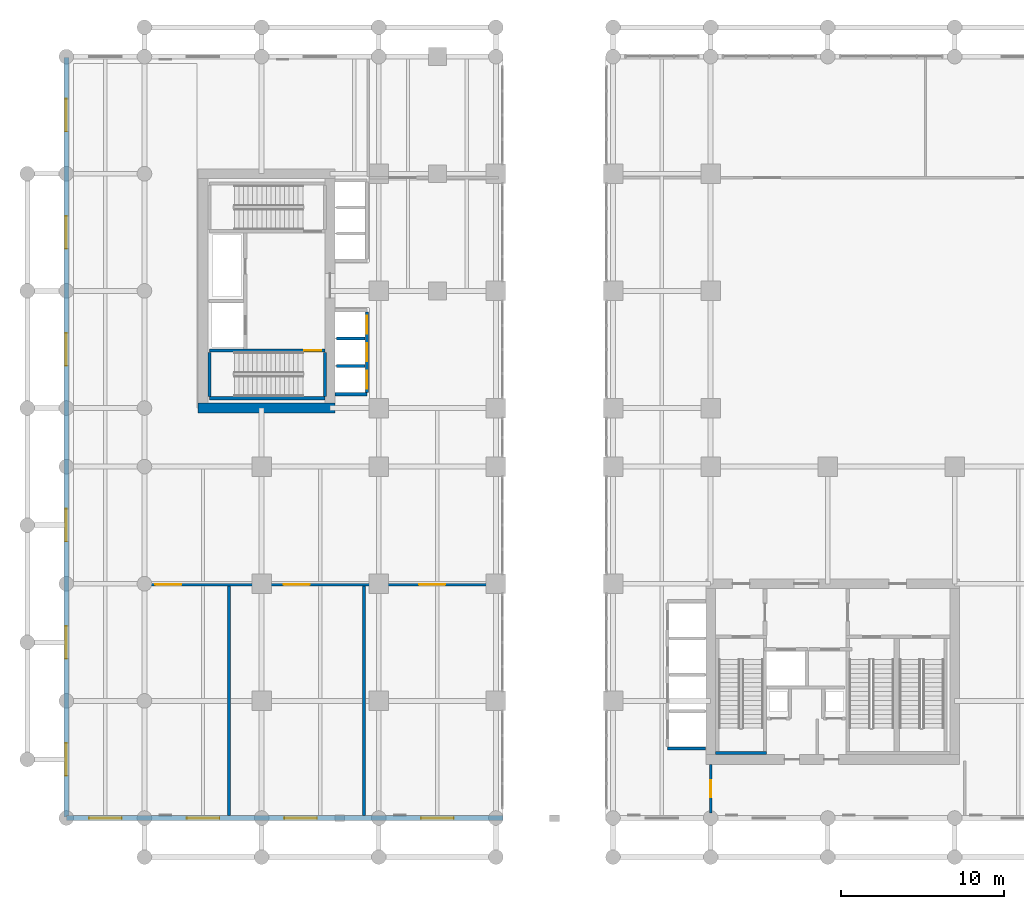
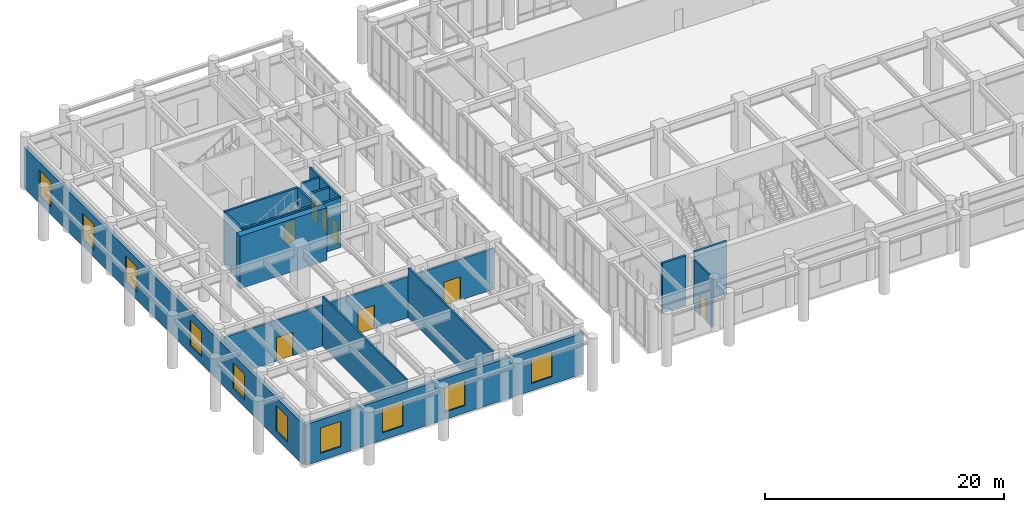
# One storey, part 15 of 23: 17 walls, 10 windows, 8 doors, 18 openings.
"""IFC4 building model written with IfcOpenShell, lengths in metres."""

from ifc_helpers import new_model, si_unit, derived_unit, direction, frame, frame_2d, origin, place, context, subcontext, project, spatial, rectangle, extrude, source, transform, mapped, material, layer, layer_set, type_object, type_shapes, element, fill, save


model = new_model("IFC4")

# Units and contexts
model_context = context("Model", 3, precision=1e-05, world=origin(), true_north=direction((0.0, 1.0)))
body_context = subcontext(model_context, "Body", "Model", "MODEL_VIEW")
ifc_project = project(units=[si_unit("LENGTHUNIT", "METRE"), si_unit("AREAUNIT", "SQUARE_METRE"), si_unit("VOLUMEUNIT", "CUBIC_METRE"), si_unit("PLANEANGLEUNIT", "RADIAN"), si_unit("MASSUNIT", "GRAM", prefix="KILO"), si_unit("THERMODYNAMICTEMPERATUREUNIT", "KELVIN"), si_unit("POWERUNIT", "WATT"), derived_unit("THERMALTRANSMITTANCEUNIT", [(si_unit("POWERUNIT", "WATT"), 1), (si_unit("AREAUNIT", "SQUARE_METRE"), -1), (si_unit("THERMODYNAMICTEMPERATUREUNIT", "KELVIN"), -1)])], contexts=[model_context])

# Site, building, storey
site_placement = place(None, origin())
site = spatial("IfcSite", under=ifc_project, at=site_placement, CompositionType="ELEMENT")
building_placement = place(site_placement, origin())
building = spatial("IfcBuilding", under=site, at=building_placement, Name="Zahravan Archway Hotel and Residences", CompositionType="ELEMENT")
storey_placement = place(building_placement, frame((0.0, 0.0, 5.39990234375)))
storey = spatial("IfcBuildingStorey", under=building, at=storey_placement, Name="L01", CompositionType="ELEMENT", Elevation=5.39990234375)

# Wall
ifc_material_1 = material(Name="Concrete C70/85", Category="concrete")
ifc_layer_1 = layer(ifc_material_1, 0.60009765625, Name="Concrete C70/85", Category="concrete")
ifc_layer_set_1 = layer_set([ifc_layer_1], Name="Concrete C70/85")
wall_type_1 = type_object("IfcWallType", Name="CW-CORE-600", PredefinedType="SHEAR", material=ifc_layer_set_1)
wall_1_placement = place(storey_placement, frame((3.300048828125, 25.199951171875, 0.0), z_axis=(0.0, 0.0, 1.0), x_axis=(1.0, 0.0, 0.0)))
element("IfcWall", 1, at=wall_1_placement, inside=storey, type_object=wall_type_1, Name="L01 Core B Shear S Wall 600 mm", PredefinedType="SHEAR", context=body_context, shape_type="SweptSolid", body=[
    extrude(rectangle(XDim=8.39990234375, YDim=0.60009765625, at=frame_2d((4.199951171875, 0.0))), origin(), (0.0, 0.0, 1.0), 5.400146484375),
])

# Wall, openings, windows
ifc_material_2 = material(Name="Agra Buff Sandstone & Insulated Backup", Category="masonry")
ifc_layer_2 = layer(ifc_material_2, 0.320068359375, Name="Agra Buff Sandstone & Insulated Backup", Category="masonry")
ifc_layer_set_2 = layer_set([ifc_layer_2], Name="Agra Buff Sandstone & Insulated Backup")
wall_type_2 = type_object("IfcWallType", Name="EW-SAND-320", PredefinedType="SOLIDWALL", material=ifc_layer_set_2)
wall_2_placement = place(storey_placement, frame((-4.800048828125, 0.0, 0.0), z_axis=(0.0, 0.0, 1.0), x_axis=(1.0, 0.0, 0.0)))
wall_2 = element("IfcWall", 2, at=wall_2_placement, inside=storey, type_object=wall_type_2, Name="L01 Podium Sandstone S Wall", PredefinedType="SOLIDWALL", context=body_context, shape_type="SweptSolid", body=[
    extrude(rectangle(XDim=26.85009765625, YDim=0.320068359375, at=frame_2d((13.425048828125, 0.0))), origin(), (0.0, 0.0, 1.0), 4.18505859375),
])
opening_1_placement = place(wall_2_placement, frame((1.39990234375, 0.0, 0.75)))
opening_1 = element("IfcOpeningElement", 3, at=opening_1_placement, cuts=wall_2, Name="Opening W-01", PredefinedType="OPENING", context=body_context, shape_type="SweptSolid", body=[
    extrude(rectangle(XDim=2.0, YDim=2.60009765625, at=frame_2d((1.0, 1.300048828125))), frame((0.0, 0.169921875, 0.0), z_axis=(0.0, -1.0, 0.0), x_axis=(1.0, 0.0, 0.0)), (0.0, 0.0, 1.0), 0.340087890625),
])
opening_2_placement = place(wall_2_placement, frame((7.39990234375, 0.0, 0.75)))
opening_2 = element("IfcOpeningElement", 4, at=opening_2_placement, cuts=wall_2, Name="Opening W-01", PredefinedType="OPENING", context=body_context, shape_type="SweptSolid", body=[
    extrude(rectangle(XDim=2.0, YDim=2.60009765625, at=frame_2d((1.0, 1.300048828125))), frame((0.0, 0.169921875, 0.0), z_axis=(0.0, -1.0, 0.0), x_axis=(1.0, 0.0, 0.0)), (0.0, 0.0, 1.0), 0.340087890625),
])
opening_3_placement = place(wall_2_placement, frame((13.39990234375, 0.0, 0.75)))
opening_3 = element("IfcOpeningElement", 5, at=opening_3_placement, cuts=wall_2, Name="Opening W-01", PredefinedType="OPENING", context=body_context, shape_type="SweptSolid", body=[
    extrude(rectangle(XDim=2.0, YDim=2.60009765625, at=frame_2d((1.0, 1.300048828125))), frame((0.0, 0.169921875, 0.0), z_axis=(0.0, -1.0, 0.0), x_axis=(1.0, 0.0, 0.0)), (0.0, 0.0, 1.0), 0.340087890625),
])
opening_4_placement = place(wall_2_placement, frame((21.800048828125, 0.0, 0.75)))
opening_4 = element("IfcOpeningElement", 6, at=opening_4_placement, cuts=wall_2, Name="Opening W-01", PredefinedType="OPENING", context=body_context, shape_type="SweptSolid", body=[
    extrude(rectangle(XDim=2.0, YDim=2.60009765625, at=frame_2d((1.0, 1.300048828125))), frame((0.0, 0.169921875, 0.0), z_axis=(0.0, -1.0, 0.0), x_axis=(1.0, 0.0, 0.0)), (0.0, 0.0, 1.0), 0.340087890625),
])
ifc_material_3 = material(Name="Bronze-Anodized Thermal-Break Aluminium & Low-E Glass", Category="aluminium")
window_type = type_object("IfcWindowType", Name="WIN-ARC-2000", PartitioningType="DOUBLE_PANEL_VERTICAL", PredefinedType="WINDOW", material=ifc_material_3)
shared_shape_1 = source(origin(), body_context, "Body", "SweptSolid", [
    extrude(rectangle(XDim=2.0, YDim=2.60009765625, at=frame_2d((1.0, 1.300048828125))), frame((0.0, 0.030029296875, 0.0), z_axis=(0.0, -1.0, 0.0), x_axis=(1.0, 0.0, 0.0)), (0.0, 0.0, 1.0), 0.06005859375),
])
type_shapes(window_type, [shared_shape_1])
window_1_placement = place(opening_1_placement, origin())
window_1 = element("IfcWindow", 7, at=window_1_placement, inside=storey, type_object=window_type, Name="L01 Podium Mughal Arch Window 01", OverallHeight=2.60009765625, OverallWidth=2.0, PartitioningType="DOUBLE_PANEL_VERTICAL", PredefinedType="WINDOW", context=body_context, shape_type="MappedRepresentation", body=[
    mapped(shared_shape_1, transform((0.0, 0.0, 0.0), scale=1.0)),
])
fill(opening_1, window_1)
window_2_placement = place(opening_2_placement, origin())
window_2 = element("IfcWindow", 8, at=window_2_placement, inside=storey, type_object=window_type, Name="L01 Podium Mughal Arch Window 02", OverallHeight=2.60009765625, OverallWidth=2.0, PartitioningType="DOUBLE_PANEL_VERTICAL", PredefinedType="WINDOW", context=body_context, shape_type="MappedRepresentation", body=[
    mapped(shared_shape_1, transform((0.0, 0.0, 0.0), scale=1.0)),
])
fill(opening_2, window_2)
window_3_placement = place(opening_3_placement, origin())
window_3 = element("IfcWindow", 9, at=window_3_placement, inside=storey, type_object=window_type, Name="L01 Podium Mughal Arch Window 03", OverallHeight=2.60009765625, OverallWidth=2.0, PartitioningType="DOUBLE_PANEL_VERTICAL", PredefinedType="WINDOW", context=body_context, shape_type="MappedRepresentation", body=[
    mapped(shared_shape_1, transform((0.0, 0.0, 0.0), scale=1.0)),
])
fill(opening_3, window_3)
window_4_placement = place(opening_4_placement, origin())
window_4 = element("IfcWindow", 10, at=window_4_placement, inside=storey, type_object=window_type, Name="L01 Podium Mughal Arch Window 04", OverallHeight=2.60009765625, OverallWidth=2.0, PartitioningType="DOUBLE_PANEL_VERTICAL", PredefinedType="WINDOW", context=body_context, shape_type="MappedRepresentation", body=[
    mapped(shared_shape_1, transform((0.0, 0.0, 0.0), scale=1.0)),
])
fill(opening_4, window_4)

wall_3_placement = place(storey_placement, frame((-4.800048828125, 0.050048828125, 0.0), z_axis=(0.0, 0.0, 1.0), x_axis=(0.0, 1.0, 0.0)))
wall_3 = element("IfcWall", 11, at=wall_3_placement, inside=storey, type_object=wall_type_2, Name="L01 Podium Sandstone W Wall", PredefinedType="SOLIDWALL", context=body_context, shape_type="SweptSolid", body=[
    extrude(rectangle(XDim=46.699951171875, YDim=0.320068359375, at=frame_2d((23.35009765625, 0.0))), origin(), (0.0, 0.0, 1.0), 4.18505859375),
])
opening_5_placement = place(wall_3_placement, frame((2.550048828125, 0.0, 0.75)))
opening_5 = element("IfcOpeningElement", 12, at=opening_5_placement, cuts=wall_3, Name="Opening W-01", PredefinedType="OPENING", context=body_context, shape_type="SweptSolid", body=[
    extrude(rectangle(XDim=2.0, YDim=2.60009765625, at=frame_2d((1.0, 1.300048828125))), frame((0.0, 0.169921875, 0.0), z_axis=(0.0, -1.0, 0.0), x_axis=(1.0, 0.0, 0.0)), (0.0, 0.0, 1.0), 0.340087890625),
])
opening_6_placement = place(wall_3_placement, frame((9.75, 0.0, 0.75)))
opening_6 = element("IfcOpeningElement", 13, at=opening_6_placement, cuts=wall_3, Name="Opening W-01", PredefinedType="OPENING", context=body_context, shape_type="SweptSolid", body=[
    extrude(rectangle(XDim=2.0, YDim=2.60009765625, at=frame_2d((1.0, 1.300048828125))), frame((0.0, 0.169921875, 0.0), z_axis=(0.0, -1.0, 0.0), x_axis=(1.0, 0.0, 0.0)), (0.0, 0.0, 1.0), 0.340087890625),
])
opening_7_placement = place(wall_3_placement, frame((16.949951171875, 0.0, 0.75)))
opening_7 = element("IfcOpeningElement", 14, at=opening_7_placement, cuts=wall_3, Name="Opening W-01", PredefinedType="OPENING", context=body_context, shape_type="SweptSolid", body=[
    extrude(rectangle(XDim=2.0, YDim=2.60009765625, at=frame_2d((1.0, 1.300048828125))), frame((0.0, 0.169921875, 0.0), z_axis=(0.0, -1.0, 0.0), x_axis=(1.0, 0.0, 0.0)), (0.0, 0.0, 1.0), 0.340087890625),
])
opening_8_placement = place(wall_3_placement, frame((27.75, 0.0, 0.75)))
opening_8 = element("IfcOpeningElement", 15, at=opening_8_placement, cuts=wall_3, Name="Opening W-01", PredefinedType="OPENING", context=body_context, shape_type="SweptSolid", body=[
    extrude(rectangle(XDim=2.0, YDim=2.60009765625, at=frame_2d((1.0, 1.300048828125))), frame((0.0, 0.169921875, 0.0), z_axis=(0.0, -1.0, 0.0), x_axis=(1.0, 0.0, 0.0)), (0.0, 0.0, 1.0), 0.340087890625),
])
opening_9_placement = place(wall_3_placement, frame((34.949951171875, 0.0, 0.75)))
opening_9 = element("IfcOpeningElement", 16, at=opening_9_placement, cuts=wall_3, Name="Opening W-01", PredefinedType="OPENING", context=body_context, shape_type="SweptSolid", body=[
    extrude(rectangle(XDim=2.0, YDim=2.60009765625, at=frame_2d((1.0, 1.300048828125))), frame((0.0, 0.169921875, 0.0), z_axis=(0.0, -1.0, 0.0), x_axis=(1.0, 0.0, 0.0)), (0.0, 0.0, 1.0), 0.340087890625),
])
opening_10_placement = place(wall_3_placement, frame((42.14990234375, 0.0, 0.75)))
opening_10 = element("IfcOpeningElement", 17, at=opening_10_placement, cuts=wall_3, Name="Opening W-01", PredefinedType="OPENING", context=body_context, shape_type="SweptSolid", body=[
    extrude(rectangle(XDim=2.0, YDim=2.60009765625, at=frame_2d((1.0, 1.300048828125))), frame((0.0, 0.169921875, 0.0), z_axis=(0.0, -1.0, 0.0), x_axis=(1.0, 0.0, 0.0)), (0.0, 0.0, 1.0), 0.340087890625),
])
window_5_placement = place(opening_5_placement, origin())
window_5 = element("IfcWindow", 18, at=window_5_placement, inside=storey, type_object=window_type, Name="L01 Podium Mughal Arch Window 20", OverallHeight=2.60009765625, OverallWidth=2.0, PartitioningType="DOUBLE_PANEL_VERTICAL", PredefinedType="WINDOW", context=body_context, shape_type="MappedRepresentation", body=[
    mapped(shared_shape_1, transform((0.0, 0.0, 0.0), scale=1.0)),
])
fill(opening_5, window_5)
window_6_placement = place(opening_6_placement, origin())
window_6 = element("IfcWindow", 19, at=window_6_placement, inside=storey, type_object=window_type, Name="L01 Podium Mughal Arch Window 21", OverallHeight=2.60009765625, OverallWidth=2.0, PartitioningType="DOUBLE_PANEL_VERTICAL", PredefinedType="WINDOW", context=body_context, shape_type="MappedRepresentation", body=[
    mapped(shared_shape_1, transform((0.0, 0.0, 0.0), scale=1.0)),
])
fill(opening_6, window_6)
window_7_placement = place(opening_7_placement, origin())
window_7 = element("IfcWindow", 20, at=window_7_placement, inside=storey, type_object=window_type, Name="L01 Podium Mughal Arch Window 22", OverallHeight=2.60009765625, OverallWidth=2.0, PartitioningType="DOUBLE_PANEL_VERTICAL", PredefinedType="WINDOW", context=body_context, shape_type="MappedRepresentation", body=[
    mapped(shared_shape_1, transform((0.0, 0.0, 0.0), scale=1.0)),
])
fill(opening_7, window_7)
window_8_placement = place(opening_8_placement, origin())
window_8 = element("IfcWindow", 21, at=window_8_placement, inside=storey, type_object=window_type, Name="L01 Podium Mughal Arch Window 23", OverallHeight=2.60009765625, OverallWidth=2.0, PartitioningType="DOUBLE_PANEL_VERTICAL", PredefinedType="WINDOW", context=body_context, shape_type="MappedRepresentation", body=[
    mapped(shared_shape_1, transform((0.0, 0.0, 0.0), scale=1.0)),
])
fill(opening_8, window_8)
window_9_placement = place(opening_9_placement, origin())
window_9 = element("IfcWindow", 22, at=window_9_placement, inside=storey, type_object=window_type, Name="L01 Podium Mughal Arch Window 24", OverallHeight=2.60009765625, OverallWidth=2.0, PartitioningType="DOUBLE_PANEL_VERTICAL", PredefinedType="WINDOW", context=body_context, shape_type="MappedRepresentation", body=[
    mapped(shared_shape_1, transform((0.0, 0.0, 0.0), scale=1.0)),
])
fill(opening_9, window_9)
window_10_placement = place(opening_10_placement, origin())
window_10 = element("IfcWindow", 23, at=window_10_placement, inside=storey, type_object=window_type, Name="L01 Podium Mughal Arch Window 25", OverallHeight=2.60009765625, OverallWidth=2.0, PartitioningType="DOUBLE_PANEL_VERTICAL", PredefinedType="WINDOW", context=body_context, shape_type="MappedRepresentation", body=[
    mapped(shared_shape_1, transform((0.0, 0.0, 0.0), scale=1.0)),
])
fill(opening_10, window_10)

# Wall, opening, door
ifc_material_4 = material(Name="Fire-Rated Gypsum & Concrete Block", Category="concrete")
ifc_layer_3 = layer(ifc_material_4, 0.159912109375, Name="Fire-Rated Gypsum & Concrete Block", Category="concrete")
ifc_layer_set_3 = layer_set([ifc_layer_3], Name="Fire-Rated Gypsum & Concrete Block")
wall_type_3 = type_object("IfcWallType", Name="PW-CORR-160", PredefinedType="PARTITIONING", material=ifc_layer_set_3)
wall_4_placement = place(storey_placement, frame((34.800048828125, 0.320068359375, 0.0), z_axis=(0.0, 0.0, 1.0), x_axis=(0.0, 1.0, 0.0)))
wall_4 = element("IfcWall", 24, at=wall_4_placement, inside=storey, type_object=wall_type_3, Name="L01 Partition L01-CAS", PredefinedType="PARTITIONING", context=body_context, shape_type="SweptSolid", body=[
    extrude(rectangle(XDim=2.9599609375, YDim=0.159912109375, at=frame_2d((1.47998046875, 0.0))), origin(), (0.0, 0.0, 1.0), 5.10009765625),
])
opening_11_placement = place(wall_4_placement, frame((0.955078125, 0.0, 0.0)))
opening_11 = element("IfcOpeningElement", 25, at=opening_11_placement, cuts=wall_4, Name="Opening FD-L2", PredefinedType="OPENING", context=body_context, shape_type="SweptSolid", body=[
    extrude(rectangle(XDim=1.050048828125, YDim=2.14990234375, at=frame_2d((0.52490234375, 1.074951171875))), frame((0.0, 0.08984375, 0.0), z_axis=(0.0, -1.0, 0.0), x_axis=(1.0, 0.0, 0.0)), (0.0, 0.0, 1.0), 0.179931640625),
])
ifc_material_5 = material(Name="Fire-Rated Painted Steel", Category="steel")
door_type_1 = type_object("IfcDoorType", Name="FD-LOBBY-1100", OperationType="NOTDEFINED", PredefinedType="DOOR", material=ifc_material_5)
shared_shape_2 = source(origin(), body_context, "Body", "SweptSolid", [
    extrude(rectangle(XDim=1.050048828125, YDim=2.14990234375, at=frame_2d((0.52490234375, 1.074951171875))), frame((0.0, 0.02490234375, 0.0), z_axis=(0.0, -1.0, 0.0), x_axis=(1.0, 0.0, 0.0)), (0.0, 0.0, 1.0), 0.050048828125),
])
type_shapes(door_type_1, [shared_shape_2])
door_1_placement = place(opening_11_placement, origin())
door_1 = element("IfcDoor", 26, at=door_1_placement, inside=storey, type_object=door_type_1, Name="L01 South Riser Access Door", OperationType="SINGLE_SWING_RIGHT", OverallHeight=2.14990234375, OverallWidth=1.050048828125, PredefinedType="DOOR", context=body_context, shape_type="MappedRepresentation", body=[
    mapped(shared_shape_2, transform((0.0, 0.0, 0.0), scale=1.0)),
])
fill(opening_11, door_1)

# Wall, openings, doors
wall_5_placement = place(storey_placement, frame((-4.360107421875, 14.35009765625, 0.0), z_axis=(0.0, 0.0, 1.0), x_axis=(1.0, 0.0, 0.0)))
wall_5 = element("IfcWall", 27, at=wall_5_placement, inside=storey, type_object=wall_type_3, Name="L01 Partition L01-GSW", PredefinedType="PARTITIONING", context=body_context, shape_type="SweptSolid", body=[
    extrude(rectangle(XDim=26.1201171875, YDim=0.159912109375, at=frame_2d((13.06005859375, 0.0))), origin(), (0.0, 0.0, 1.0), 4.18505859375),
])
opening_12_placement = place(wall_5_placement, frame((5.034423828125, 0.0, 0.0)))
opening_12 = element("IfcOpeningElement", 28, at=opening_12_placement, cuts=wall_5, Name="Opening D-P2", PredefinedType="OPENING", context=body_context, shape_type="SweptSolid", body=[
    extrude(rectangle(XDim=1.60009765625, YDim=2.39990234375, at=frame_2d((0.800048828125, 1.199951171875))), frame((0.0, 0.08984375, 0.0), z_axis=(0.0, -1.0, 0.0), x_axis=(1.0, 0.0, 0.0)), (0.0, 0.0, 1.0), 0.179931640625),
])
opening_13_placement = place(wall_5_placement, frame((12.909912109375, 0.0, 0.0)))
opening_13 = element("IfcOpeningElement", 29, at=opening_13_placement, cuts=wall_5, Name="Opening D-P2", PredefinedType="OPENING", context=body_context, shape_type="SweptSolid", body=[
    extrude(rectangle(XDim=1.60009765625, YDim=2.39990234375, at=frame_2d((0.800048828125, 1.199951171875))), frame((0.0, 0.08984375, 0.0), z_axis=(0.0, -1.0, 0.0), x_axis=(1.0, 0.0, 0.0)), (0.0, 0.0, 1.0), 0.179931640625),
])
opening_14_placement = place(wall_5_placement, frame((21.235107421875, 0.0, 0.0)))
opening_14 = element("IfcOpeningElement", 30, at=opening_14_placement, cuts=wall_5, Name="Opening D-P2", PredefinedType="OPENING", context=body_context, shape_type="SweptSolid", body=[
    extrude(rectangle(XDim=1.60009765625, YDim=2.39990234375, at=frame_2d((0.800048828125, 1.199951171875))), frame((0.0, 0.08984375, 0.0), z_axis=(0.0, -1.0, 0.0), x_axis=(1.0, 0.0, 0.0)), (0.0, 0.0, 1.0), 0.179931640625),
])
ifc_material_6 = material(Name="Bronze-Anodized Glazed Aluminium", Category="aluminium")
door_type_2 = type_object("IfcDoorType", Name="ID-PUBLIC-1600", OperationType="DOUBLE_DOOR_SINGLE_SWING", PredefinedType="DOOR", material=ifc_material_6)
shared_shape_3 = source(origin(), body_context, "Body", "SweptSolid", [
    extrude(rectangle(XDim=1.60009765625, YDim=2.39990234375, at=frame_2d((0.800048828125, 1.199951171875))), frame((0.0, 0.02490234375, 0.0), z_axis=(0.0, -1.0, 0.0), x_axis=(1.0, 0.0, 0.0)), (0.0, 0.0, 1.0), 0.050048828125),
])
type_shapes(door_type_2, [shared_shape_3])
door_2_placement = place(opening_12_placement, origin())
door_2 = element("IfcDoor", 31, at=door_2_placement, inside=storey, type_object=door_type_2, Name="L01 Silk & Couture Gallery Door", OperationType="DOUBLE_DOOR_SINGLE_SWING", OverallHeight=2.39990234375, OverallWidth=1.60009765625, PredefinedType="DOOR", context=body_context, shape_type="MappedRepresentation", body=[
    mapped(shared_shape_3, transform((0.0, 0.0, 0.0), scale=1.0)),
])
fill(opening_12, door_2)
door_3_placement = place(opening_13_placement, origin())
door_3 = element("IfcDoor", 32, at=door_3_placement, inside=storey, type_object=door_type_2, Name="L01 Oud & Fragrance Emporium Door", OperationType="DOUBLE_DOOR_SINGLE_SWING", OverallHeight=2.39990234375, OverallWidth=1.60009765625, PredefinedType="DOOR", context=body_context, shape_type="MappedRepresentation", body=[
    mapped(shared_shape_3, transform((0.0, 0.0, 0.0), scale=1.0)),
])
fill(opening_13, door_3)
door_4_placement = place(opening_14_placement, origin())
door_4 = element("IfcDoor", 33, at=door_4_placement, inside=storey, type_object=door_type_2, Name="L01 Fine Jewellery Salon Door", OperationType="DOUBLE_DOOR_SINGLE_SWING", OverallHeight=2.39990234375, OverallWidth=1.60009765625, PredefinedType="DOOR", context=body_context, shape_type="MappedRepresentation", body=[
    mapped(shared_shape_3, transform((0.0, 0.0, 0.0), scale=1.0)),
])
fill(opening_14, door_4)

# Walls
ifc_layer_4 = layer(ifc_material_4, 0.199951171875, Name="Fire-Rated Gypsum & Concrete Block", Category="concrete")
ifc_layer_set_4 = layer_set([ifc_layer_4], Name="Fire-Rated Gypsum & Concrete Block")
wall_type_4 = type_object("IfcWallType", Name="PW-SHAFT-200", PredefinedType="PARTITIONING", material=ifc_layer_set_4)
wall_6_placement = place(storey_placement, frame((32.159912109375, 4.280029296875, 0.0), z_axis=(0.0, 0.0, 1.0), x_axis=(1.0, 0.0, 0.0)))
element("IfcWall", 34, at=wall_6_placement, inside=storey, type_object=wall_type_4, Name="L01 Partition B3-S", PredefinedType="PARTITIONING", context=body_context, shape_type="SweptSolid", body=[
    extrude(rectangle(XDim=2.31005859375, YDim=0.199951171875, at=frame_2d((1.155029296875, 0.0))), origin(), (0.0, 0.0, 1.0), 5.10009765625),
])
wall_7_placement = place(storey_placement, frame((11.7099609375, 26.050048828125, 0.0), z_axis=(0.0, 0.0, 1.0), x_axis=(1.0, 0.0, 0.0)))
element("IfcWall", 35, at=wall_7_placement, inside=storey, type_object=wall_type_4, Name="L01 Partition B1-S", PredefinedType="PARTITIONING", context=body_context, shape_type="SweptSolid", body=[
    extrude(rectangle(XDim=1.9599609375, YDim=0.199951171875, at=frame_2d((0.97998046875, 0.0))), origin(), (0.0, 0.0, 1.0), 5.10009765625),
])

# Wall, openings, doors
wall_8_placement = place(storey_placement, frame((13.679931640625, 26.159912109375, 0.0), z_axis=(0.0, 0.0, 1.0), x_axis=(0.0, 1.0, 0.0)))
wall_8 = element("IfcWall", 36, at=wall_8_placement, inside=storey, type_object=wall_type_4, Name="L01 Partition B1-E", PredefinedType="PARTITIONING", context=body_context, shape_type="SweptSolid", body=[
    extrude(rectangle(XDim=4.940185546875, YDim=0.199951171875, at=frame_2d((2.47021484375, 0.0))), origin(), (0.0, 0.0, 1.0), 5.10009765625),
])
opening_15_placement = place(wall_8_placement, frame((0.239990234375, 0.0, 0.0)))
opening_15 = element("IfcOpeningElement", 37, at=opening_15_placement, cuts=wall_8, Name="Opening LD", PredefinedType="OPENING", context=body_context, shape_type="SweptSolid", body=[
    extrude(rectangle(XDim=1.10009765625, YDim=2.199951171875, at=frame_2d((0.550048828125, 1.10009765625))), frame((0.0, 0.10986328125, 0.0), z_axis=(0.0, -1.0, 0.0), x_axis=(1.0, 0.0, 0.0)), (0.0, 0.0, 1.0), 0.219970703125),
])
opening_16_placement = place(wall_8_placement, frame((1.919921875, 0.0, 0.0)))
opening_16 = element("IfcOpeningElement", 38, at=opening_16_placement, cuts=wall_8, Name="Opening LD", PredefinedType="OPENING", context=body_context, shape_type="SweptSolid", body=[
    extrude(rectangle(XDim=1.10009765625, YDim=2.199951171875, at=frame_2d((0.550048828125, 1.10009765625))), frame((0.0, 0.10986328125, 0.0), z_axis=(0.0, -1.0, 0.0), x_axis=(1.0, 0.0, 0.0)), (0.0, 0.0, 1.0), 0.219970703125),
])
opening_17_placement = place(wall_8_placement, frame((3.60009765625, 0.0, 0.0)))
opening_17 = element("IfcOpeningElement", 39, at=opening_17_placement, cuts=wall_8, Name="Opening LD", PredefinedType="OPENING", context=body_context, shape_type="SweptSolid", body=[
    extrude(rectangle(XDim=1.10009765625, YDim=2.199951171875, at=frame_2d((0.550048828125, 1.10009765625))), frame((0.0, 0.10986328125, 0.0), z_axis=(0.0, -1.0, 0.0), x_axis=(1.0, 0.0, 0.0)), (0.0, 0.0, 1.0), 0.219970703125),
])
ifc_material_7 = material(Name="Brushed Stainless Steel", Category="steel")
door_type_3 = type_object("IfcDoorType", Name="DR-LIFT-LD", OperationType="SLIDING_TO_LEFT", PredefinedType="DOOR", material=ifc_material_7)
shared_shape_4 = source(origin(), body_context, "Body", "SweptSolid", [
    extrude(rectangle(XDim=1.10009765625, YDim=2.199951171875, at=frame_2d((0.550048828125, 1.10009765625))), frame((0.0, 0.02490234375, 0.0), z_axis=(0.0, -1.0, 0.0), x_axis=(1.0, 0.0, 0.0)), (0.0, 0.0, 1.0), 0.050048828125),
])
type_shapes(door_type_3, [shared_shape_4])
door_5_placement = place(opening_15_placement, origin())
door_5 = element("IfcDoor", 40, at=door_5_placement, inside=storey, type_object=door_type_3, Name="L01 Lift LP-1 Sliding Landing Door", OperationType="SLIDING_TO_LEFT", OverallHeight=2.199951171875, OverallWidth=1.10009765625, PredefinedType="DOOR", context=body_context, shape_type="MappedRepresentation", body=[
    mapped(shared_shape_4, transform((0.0, 0.0, 0.0), scale=1.0)),
])
fill(opening_15, door_5)
door_6_placement = place(opening_16_placement, origin())
door_6 = element("IfcDoor", 41, at=door_6_placement, inside=storey, type_object=door_type_3, Name="L01 Lift LP-2 Sliding Landing Door", OperationType="SLIDING_TO_LEFT", OverallHeight=2.199951171875, OverallWidth=1.10009765625, PredefinedType="DOOR", context=body_context, shape_type="MappedRepresentation", body=[
    mapped(shared_shape_4, transform((0.0, 0.0, 0.0), scale=1.0)),
])
fill(opening_16, door_6)
door_7_placement = place(opening_17_placement, origin())
door_7 = element("IfcDoor", 42, at=door_7_placement, inside=storey, type_object=door_type_3, Name="L01 Lift LP-3 Sliding Landing Door", OperationType="SLIDING_TO_LEFT", OverallHeight=2.199951171875, OverallWidth=1.10009765625, PredefinedType="DOOR", context=body_context, shape_type="MappedRepresentation", body=[
    mapped(shared_shape_4, transform((0.0, 0.0, 0.0), scale=1.0)),
])
fill(opening_17, door_7)

# Walls
for number, where, z_axis, x_axis, name in (
    (43, (11.81005859375, 27.7900390625, 0.0), (0.0, 0.0, 1.0), (1.0, 0.0, 0.0), "L01 Partition B1-D"),
    (44, (11.81005859375, 29.469970703125, 0.0), (0.0, 0.0, 1.0), (1.0, 0.0, 0.0), "L01 Partition B1-D"),
):
    element("IfcWall", number, at=place(storey_placement, frame(where, z_axis=z_axis, x_axis=x_axis)), inside=storey, type_object=wall_type_4, Name=name, PredefinedType="PARTITIONING", context=body_context, shape_type="SweptSolid", body=[
        extrude(rectangle(XDim=1.760009765625, YDim=0.199951171875, at=frame_2d((0.8798828125, 0.0))), origin(), (0.0, 0.0, 1.0), 5.10009765625),
    ])
ifc_material_8 = material(Name="Acoustic Stud Partition")
ifc_layer_5 = layer(ifc_material_8, 0.169921875, Name="Acoustic Stud Partition")
ifc_layer_set_5 = layer_set([ifc_layer_5], Name="Acoustic Stud Partition")
wall_type_5 = type_object("IfcWallType", Name="PW-UNIT-170", PredefinedType="PARTITIONING", material=ifc_layer_set_5)
for number, where, z_axis, x_axis, name in (
    (45, (5.199951171875, 0.16796875, 0.0), (0.0, 0.0, 1.0), (0.0, 1.0, 0.0), "L01 Partition L01-SV1"),
    (46, (13.5, 0.16796875, 0.0), (0.0, 0.0, 1.0), (0.0, 1.0, 0.0), "L01 Partition L01-SV2"),
):
    element("IfcWall", number, at=place(storey_placement, frame(where, z_axis=z_axis, x_axis=x_axis)), inside=storey, type_object=wall_type_5, Name=name, PredefinedType="PARTITIONING", context=body_context, shape_type="SweptSolid", body=[
        extrude(rectangle(XDim=14.092041015625, YDim=0.169921875, at=frame_2d((7.0458984375, 0.0))), origin(), (0.0, 0.0, 1.0), 5.10009765625),
    ])
ifc_material_9 = material(Name="Concrete C50/60", Category="concrete")
ifc_layer_6 = layer(ifc_material_9, 0.199951171875, Name="Concrete C50/60", Category="concrete")
ifc_layer_set_6 = layer_set([ifc_layer_6], Name="Concrete C50/60")
wall_type_6 = type_object("IfcWallType", Name="SW-STAIR-200", PredefinedType="SHEAR", material=ifc_layer_set_6)
wall_9_placement = place(storey_placement, frame((35.10009765625, 4.0, 0.0), z_axis=(0.0, 0.0, 1.0), x_axis=(1.0, 0.0, 0.0)))
element("IfcWall", 47, at=wall_9_placement, inside=storey, type_object=wall_type_6, Name="L01 Stairwell RC Wall CA-SA1S", PredefinedType="SHEAR", context=body_context, shape_type="SweptSolid", body=[
    extrude(rectangle(XDim=3.139892578125, YDim=0.199951171875, at=frame_2d((1.56982421875, 0.0))), origin(), (0.0, 0.0, 1.0), 5.400146484375),
])
wall_10_placement = place(storey_placement, frame((4.0, 25.800048828125, 0.0), z_axis=(0.0, 0.0, 1.0), x_axis=(1.0, 0.0, 0.0)))
element("IfcWall", 48, at=wall_10_placement, inside=storey, type_object=wall_type_6, Name="L01 Stairwell RC Wall CB-SB1S", PredefinedType="SHEAR", context=body_context, shape_type="SweptSolid", body=[
    extrude(rectangle(XDim=7.10009765625, YDim=0.199951171875, at=frame_2d((3.550048828125, 0.0))), origin(), (0.0, 0.0, 1.0), 5.400146484375),
])
for number, where, z_axis, x_axis, name in (
    (49, (4.0, 25.919921875, 0.0), (0.0, 0.0, 1.0), (0.0, 1.0, 0.0), "L01 Stairwell RC Wall CB-SB1W"),
    (50, (11.10009765625, 25.919921875, 0.0), (0.0, 0.0, 1.0), (0.0, 1.0, 0.0), "L01 Stairwell RC Wall CB-SB1E"),
):
    element("IfcWall", number, at=place(storey_placement, frame(where, z_axis=z_axis, x_axis=x_axis)), inside=storey, type_object=wall_type_6, Name=name, PredefinedType="SHEAR", context=body_context, shape_type="SweptSolid", body=[
        extrude(rectangle(XDim=2.7001953125, YDim=0.199951171875, at=frame_2d((1.35009765625, 0.0))), origin(), (0.0, 0.0, 1.0), 5.400146484375),
    ])

# Wall, opening, door
wall_11_placement = place(storey_placement, frame((4.0, 28.739990234375, 0.0), z_axis=(0.0, 0.0, 1.0), x_axis=(1.0, 0.0, 0.0)))
wall_11 = element("IfcWall", 51, at=wall_11_placement, inside=storey, type_object=wall_type_6, Name="L01 Stairwell RC Wall CB-SB1N", PredefinedType="SHEAR", context=body_context, shape_type="SweptSolid", body=[
    extrude(rectangle(XDim=7.10009765625, YDim=0.199951171875, at=frame_2d((3.550048828125, 0.0))), origin(), (0.0, 0.0, 1.0), 5.400146484375),
])
opening_18_placement = place(wall_11_placement, frame((5.81494140625, 0.0, 0.0)))
opening_18 = element("IfcOpeningElement", 52, at=opening_18_placement, cuts=wall_11, Name="Opening FD-S1", PredefinedType="OPENING", context=body_context, shape_type="SweptSolid", body=[
    extrude(rectangle(XDim=1.050048828125, YDim=2.199951171875, at=frame_2d((0.52490234375, 1.10009765625))), frame((0.0, 0.10986328125, 0.0), z_axis=(0.0, -1.0, 0.0), x_axis=(1.0, 0.0, 0.0)), (0.0, 0.0, 1.0), 0.219970703125),
])
door_type_4 = type_object("IfcDoorType", Name="FD-STAIR-1100", OperationType="NOTDEFINED", PredefinedType="DOOR", material=ifc_material_5)
shared_shape_5 = source(origin(), body_context, "Body", "SweptSolid", [
    extrude(rectangle(XDim=1.050048828125, YDim=2.199951171875, at=frame_2d((0.52490234375, 1.10009765625))), frame((0.0, 0.02490234375, 0.0), z_axis=(0.0, -1.0, 0.0), x_axis=(1.0, 0.0, 0.0)), (0.0, 0.0, 1.0), 0.050048828125),
])
type_shapes(door_type_4, [shared_shape_5])
door_8_placement = place(opening_18_placement, origin())
door_8 = element("IfcDoor", 53, at=door_8_placement, inside=storey, type_object=door_type_4, Name="L01 Stair ST-B1 Door", OperationType="SINGLE_SWING_LEFT", OverallHeight=2.199951171875, OverallWidth=1.050048828125, PredefinedType="DOOR", context=body_context, shape_type="MappedRepresentation", body=[
    mapped(shared_shape_5, transform((0.0, 0.0, 0.0), scale=1.0)),
])
fill(opening_18, door_8)

save(model, "model.ifc")
